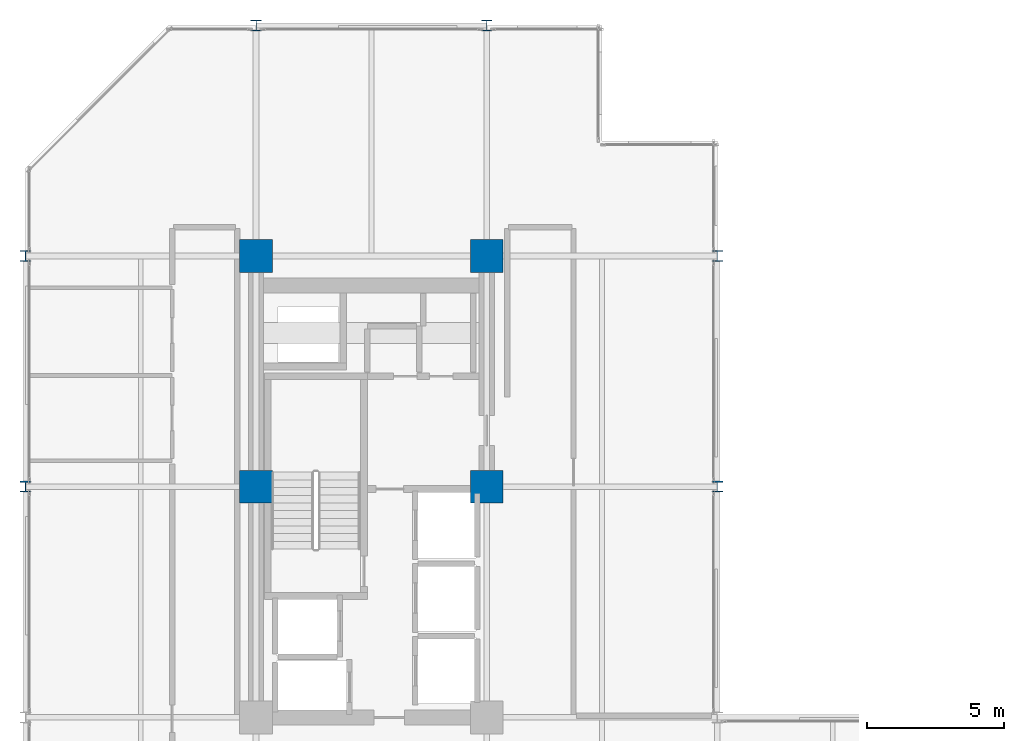
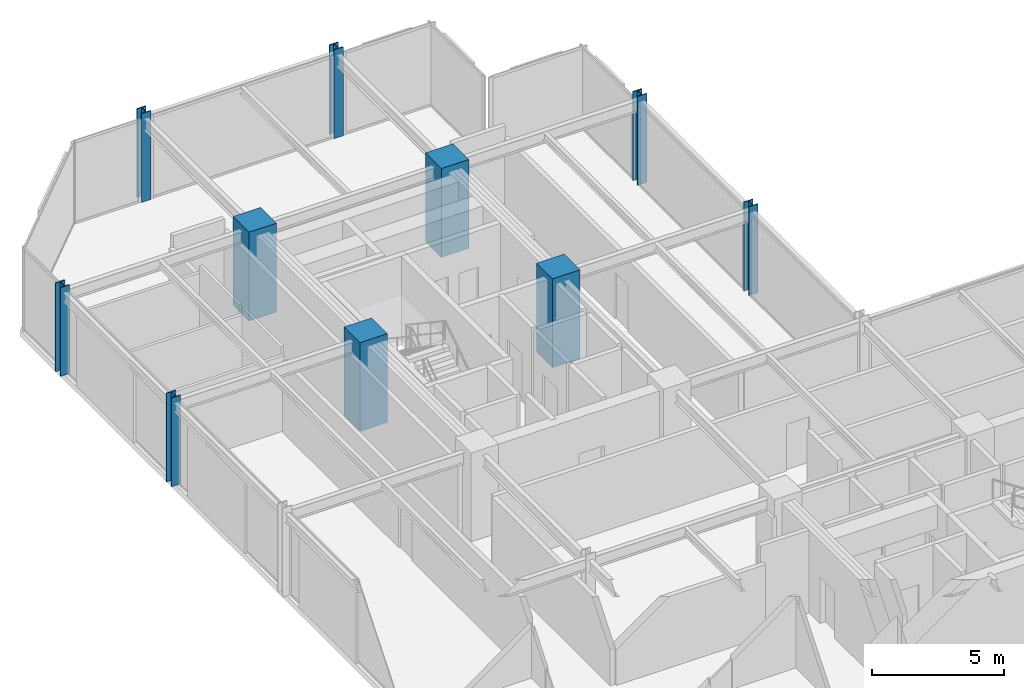
# One storey, part 3 of 38: 10 columns.
"""IFC4 building model written with IfcOpenShell, lengths in metres."""

from ifc_helpers import new_model, si_unit, direction, frame, origin, origin_2d, place, context, subcontext, project, spatial, rectangle, i_section, extrude, material, material_profile, profile_set, type_object, element, save


model = new_model("IFC4")

# Units and contexts
model_context = context("Model", 3, precision=1e-05, world=origin(), true_north=direction((0.0, 1.0)))
body_context = subcontext(model_context, "Body", "Model", "MODEL_VIEW")
ifc_project = project(units=[si_unit("LENGTHUNIT", "METRE"), si_unit("AREAUNIT", "SQUARE_METRE"), si_unit("VOLUMEUNIT", "CUBIC_METRE"), si_unit("PLANEANGLEUNIT", "RADIAN"), si_unit("MASSUNIT", "GRAM", prefix="KILO")], contexts=[model_context])

# Site, building, storey
site_placement = place(None, origin())
site = spatial("IfcSite", under=ifc_project, at=site_placement, CompositionType="ELEMENT")
building_placement = place(site_placement, origin())
building = spatial("IfcBuilding", under=site, at=building_placement, Name="Nerrivon Quay Data Exchange", CompositionType="ELEMENT")
storey_placement = place(building_placement, frame((0.0, 0.0, 100.800048828125)))
storey = spatial("IfcBuildingStorey", under=building, at=storey_placement, Name="L23", CompositionType="ELEMENT", Elevation=100.800048828125)

# Columns
ifc_material_1 = material(Name="Concrete S65 (65 MPa)", Category="concrete")
ifc_material_profile_1 = material_profile(ifc_material_1, rectangle(XDim=1.199951171875, YDim=1.199951171875, at=origin_2d()), Name="RC-COL-1200x1200")
ifc_profile_set_1 = profile_set([ifc_material_profile_1], Name="Concrete S65 (65 MPa)")
column_type_1 = type_object("IfcColumnType", Name="COL-C3-1200", PredefinedType="COLUMN", material=ifc_profile_set_1)
for number, where, z_axis, x_axis, name in (
    (1, (8.39990234375, 33.60009765625, 0.0), (0.0, 0.0, 1.0), (1.0, 0.0, 0.0), "L23 Column (8.4,33.6)"),
    (2, (8.39990234375, 42.0, 0.0), (0.0, 0.0, 1.0), (1.0, 0.0, 0.0), "L23 Column (8.4,42.0)"),
    (3, (16.800048828125, 33.60009765625, 0.0), (0.0, 0.0, 1.0), (1.0, 0.0, 0.0), "L23 Column (16.8,33.6)"),
    (4, (16.800048828125, 42.0, 0.0), (0.0, 0.0, 1.0), (1.0, 0.0, 0.0), "L23 Column (16.8,42.0)"),
):
    element("IfcColumn", number, at=place(storey_placement, frame(where, z_axis=z_axis, x_axis=x_axis)), inside=storey, type_object=column_type_1, Name=name, PredefinedType="COLUMN", context=body_context, shape_type="SweptSolid", body=[
        extrude(rectangle(XDim=1.199951171875, YDim=1.199951171875, at=origin_2d()), origin(), (0.0, 0.0, 1.0), 4.099853515625),
    ])
ifc_material_2 = material(Name="Steel Grade 350", Category="steel")
ifc_material_profile_2 = material_profile(ifc_material_2, i_section(OverallWidth=0.39990234375, OverallDepth=0.39990234375, WebThickness=0.02490234375, FlangeThickness=0.0400390625, at=origin_2d()), Name="400WC328")
ifc_profile_set_2 = profile_set([ifc_material_profile_2], Name="Steel Grade 350")
column_type_2 = type_object("IfcColumnType", Name="COL-SC2-400WC", PredefinedType="COLUMN", material=ifc_profile_set_2)
for number, where, z_axis, x_axis, name in (
    (5, (0.0, 33.60009765625, 0.0), (0.0, 0.0, 1.0), (1.0, 0.0, 0.0), "L23 Column (0.0,33.6)"),
    (6, (0.0, 42.0, 0.0), (0.0, 0.0, 1.0), (1.0, 0.0, 0.0), "L23 Column (0.0,42.0)"),
    (7, (8.39990234375, 50.39990234375, 0.0), (0.0, 0.0, 1.0), (1.0, 0.0, 0.0), "L23 Column (8.4,50.4)"),
    (8, (16.800048828125, 50.39990234375, 0.0), (0.0, 0.0, 1.0), (1.0, 0.0, 0.0), "L23 Column (16.8,50.4)"),
    (9, (25.199951171875, 33.60009765625, 0.0), (0.0, 0.0, 1.0), (1.0, 0.0, 0.0), "L23 Column (25.2,33.6)"),
    (10, (25.199951171875, 42.0, 0.0), (0.0, 0.0, 1.0), (1.0, 0.0, 0.0), "L23 Column (25.2,42.0)"),
):
    element("IfcColumn", number, at=place(storey_placement, frame(where, z_axis=z_axis, x_axis=x_axis)), inside=storey, type_object=column_type_2, Name=name, PredefinedType="COLUMN", context=body_context, shape_type="SweptSolid", body=[
        extrude(i_section(OverallWidth=0.39990234375, OverallDepth=0.39990234375, WebThickness=0.02490234375, FlangeThickness=0.0400390625, at=origin_2d()), origin(), (0.0, 0.0, 1.0), 4.099853515625),
    ])

save(model, "model.ifc")
